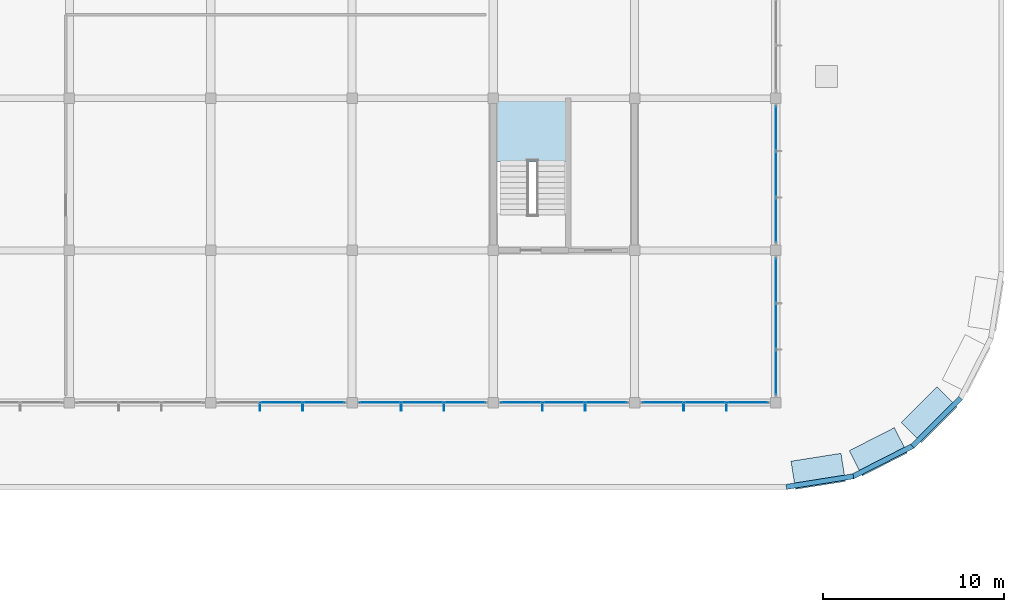
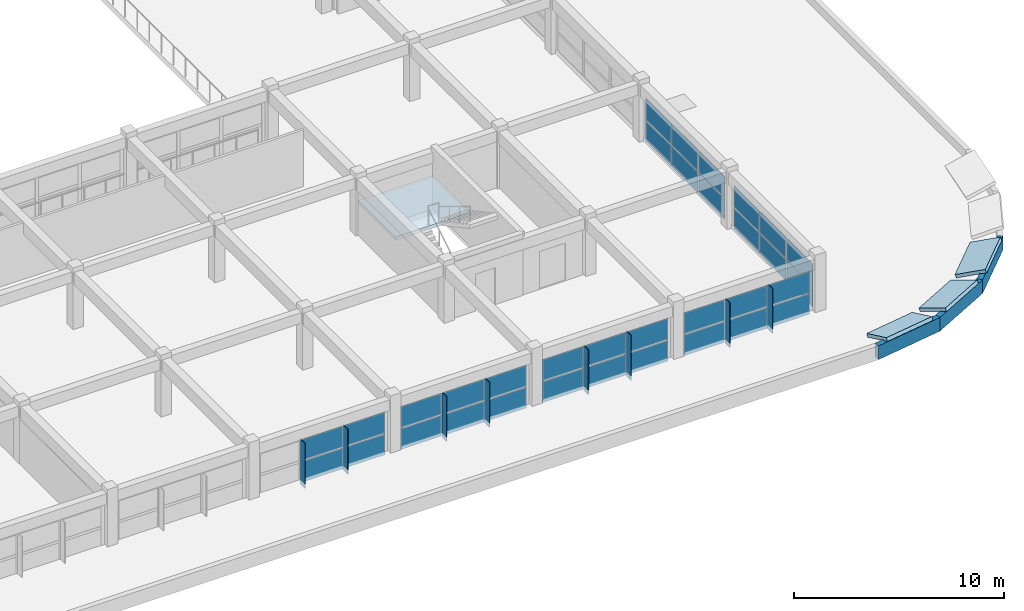
# One storey, part 81 of 101: 45 plates, 4 slabs, 7 elements without a shape of their own.
"""IFC4 building model written with IfcOpenShell, lengths in metres."""

from ifc_helpers import new_model, si_unit, direction, frame, origin, origin_2d, place, context, subcontext, project, spatial, polyline, rectangle, outline, extrude, material, layer, layer_set, type_object, element, aggregate, save


model = new_model("IFC4")

# Units and contexts
model_context = context("Model", 3, precision=1e-05, world=origin(), true_north=direction((0.0, 1.0)))
body_context = subcontext(model_context, "Body", "Model", "MODEL_VIEW")
ifc_project = project(units=[si_unit("LENGTHUNIT", "METRE"), si_unit("AREAUNIT", "SQUARE_METRE"), si_unit("VOLUMEUNIT", "CUBIC_METRE"), si_unit("PLANEANGLEUNIT", "RADIAN"), si_unit("MASSUNIT", "GRAM", prefix="KILO")], contexts=[model_context])

# Site, building, storey
site_placement = place(None, origin())
site = spatial("IfcSite", under=ifc_project, at=site_placement, CompositionType="ELEMENT")
building_placement = place(site_placement, origin())
building = spatial("IfcBuilding", under=site, at=building_placement, Name="Zizhar Promenade General Hospital", CompositionType="ELEMENT")
storey_placement = place(building_placement, frame((0.0, 0.0, 14.39990234375)))
storey = spatial("IfcBuildingStorey", under=building, at=storey_placement, Name="L03", CompositionType="ELEMENT", Elevation=14.39990234375)

# Curtain wall, plates
ifc_material_1 = material(Name="Anodised aluminium 6063-T6 and low-E glass", Category="aluminium")
ifc_layer_1 = layer(ifc_material_1, 0.159912109375)
ifc_layer_set_1 = layer_set([ifc_layer_1], Name="Anodised aluminium 6063-T6 and low-E glass")
curtain_wall_type = type_object("IfcCurtainWallType", Name="CW-CLN-L03", PredefinedType="NOTDEFINED", material=ifc_layer_set_1)
curtain_wall_1_placement = place(storey_placement, origin())
curtain_wall_1 = element("IfcCurtainWall", 1, at=curtain_wall_1_placement, inside=storey, type_object=curtain_wall_type, Name="L03 Clinic Pavilion South Glazing 20", PredefinedType="NOTDEFINED")
ifc_material_2 = material(Name="Low-E solar-control glass", Category="glass")
ifc_layer_2 = layer(ifc_material_2, 0.031982421875)
ifc_layer_set_2 = layer_set([ifc_layer_2], Name="Low-E solar-control glass")
plate_type_1 = type_object("IfcPlateType", Name="CWP-GLZ-32", PredefinedType="CURTAIN_PANEL", material=ifc_layer_set_2)
plate_1_placement = place(storey_placement, frame((162.239990234375, 42.0, 0.06005859375), z_axis=(0.0, 0.0, 1.0), x_axis=(-1.0, 0.0, 0.0)))
plate_1 = element("IfcPlate", 2, at=plate_1_placement, type_object=plate_type_1, Name="CW-11 panel 1.1", PredefinedType="CURTAIN_PANEL", context=body_context, shape_type="SweptSolid", body=[
    extrude(rectangle(XDim=2.239990234375, YDim=0.031982421875, at=origin_2d()), origin(), (0.0, 0.0, 1.0), 1.219970703125),
])
plate_2_placement = place(storey_placement, frame((162.239990234375, 42.0, 1.34033203125), z_axis=(0.0, 0.0, 1.0), x_axis=(-1.0, 0.0, 0.0)))
plate_2 = element("IfcPlate", 3, at=plate_2_placement, type_object=plate_type_1, Name="CW-11 panel 1.2", PredefinedType="CURTAIN_PANEL", context=body_context, shape_type="SweptSolid", body=[
    extrude(rectangle(XDim=2.239990234375, YDim=0.031982421875, at=origin_2d()), origin(), (0.0, 0.0, 1.0), 1.219970703125),
])
plate_3_placement = place(storey_placement, frame((159.89990234375, 42.0, 0.06005859375), z_axis=(0.0, 0.0, 1.0), x_axis=(-1.0, 0.0, 0.0)))
plate_3 = element("IfcPlate", 4, at=plate_3_placement, type_object=plate_type_1, Name="CW-11 panel 2.1", PredefinedType="CURTAIN_PANEL", context=body_context, shape_type="SweptSolid", body=[
    extrude(rectangle(XDim=2.280029296875, YDim=0.031982421875, at=origin_2d()), origin(), (0.0, 0.0, 1.0), 1.219970703125),
])
plate_4_placement = place(storey_placement, frame((159.89990234375, 42.0, 1.34033203125), z_axis=(0.0, 0.0, 1.0), x_axis=(-1.0, 0.0, 0.0)))
plate_4 = element("IfcPlate", 5, at=plate_4_placement, type_object=plate_type_1, Name="CW-11 panel 2.2", PredefinedType="CURTAIN_PANEL", context=body_context, shape_type="SweptSolid", body=[
    extrude(rectangle(XDim=2.280029296875, YDim=0.031982421875, at=origin_2d()), origin(), (0.0, 0.0, 1.0), 1.219970703125),
])
aggregate(curtain_wall_1, [plate_1, plate_2, plate_3, plate_4])

curtain_wall_2_placement = place(storey_placement, origin())
curtain_wall_2 = element("IfcCurtainWall", 6, at=curtain_wall_2_placement, inside=storey, type_object=curtain_wall_type, Name="L03 Clinic Pavilion South Glazing 21", PredefinedType="NOTDEFINED")
plate_5_placement = place(storey_placement, frame((170.0400390625, 42.0, 0.06005859375), z_axis=(0.0, 0.0, 1.0), x_axis=(-1.0, 0.0, 0.0)))
plate_5 = element("IfcPlate", 7, at=plate_5_placement, type_object=plate_type_1, Name="CW-11 panel 1.1", PredefinedType="CURTAIN_PANEL", context=body_context, shape_type="SweptSolid", body=[
    extrude(rectangle(XDim=2.239990234375, YDim=0.031982421875, at=origin_2d()), origin(), (0.0, 0.0, 1.0), 1.219970703125),
])
plate_6_placement = place(storey_placement, frame((170.0400390625, 42.0, 1.34033203125), z_axis=(0.0, 0.0, 1.0), x_axis=(-1.0, 0.0, 0.0)))
plate_6 = element("IfcPlate", 8, at=plate_6_placement, type_object=plate_type_1, Name="CW-11 panel 1.2", PredefinedType="CURTAIN_PANEL", context=body_context, shape_type="SweptSolid", body=[
    extrude(rectangle(XDim=2.239990234375, YDim=0.031982421875, at=origin_2d()), origin(), (0.0, 0.0, 1.0), 1.219970703125),
])
plate_7_placement = place(storey_placement, frame((167.699951171875, 42.0, 0.06005859375), z_axis=(0.0, 0.0, 1.0), x_axis=(-1.0, 0.0, 0.0)))
plate_7 = element("IfcPlate", 9, at=plate_7_placement, type_object=plate_type_1, Name="CW-11 panel 2.1", PredefinedType="CURTAIN_PANEL", context=body_context, shape_type="SweptSolid", body=[
    extrude(rectangle(XDim=2.280029296875, YDim=0.031982421875, at=origin_2d()), origin(), (0.0, 0.0, 1.0), 1.219970703125),
])
plate_8_placement = place(storey_placement, frame((167.699951171875, 42.0, 1.34033203125), z_axis=(0.0, 0.0, 1.0), x_axis=(-1.0, 0.0, 0.0)))
plate_8 = element("IfcPlate", 10, at=plate_8_placement, type_object=plate_type_1, Name="CW-11 panel 2.2", PredefinedType="CURTAIN_PANEL", context=body_context, shape_type="SweptSolid", body=[
    extrude(rectangle(XDim=2.280029296875, YDim=0.031982421875, at=origin_2d()), origin(), (0.0, 0.0, 1.0), 1.219970703125),
])
plate_9_placement = place(storey_placement, frame((165.360107421875, 42.0, 0.06005859375), z_axis=(0.0, 0.0, 1.0), x_axis=(-1.0, 0.0, 0.0)))
plate_9 = element("IfcPlate", 11, at=plate_9_placement, type_object=plate_type_1, Name="CW-11 panel 3.1", PredefinedType="CURTAIN_PANEL", context=body_context, shape_type="SweptSolid", body=[
    extrude(rectangle(XDim=2.239990234375, YDim=0.031982421875, at=origin_2d()), origin(), (0.0, 0.0, 1.0), 1.219970703125),
])
plate_10_placement = place(storey_placement, frame((165.360107421875, 42.0, 1.34033203125), z_axis=(0.0, 0.0, 1.0), x_axis=(-1.0, 0.0, 0.0)))
plate_10 = element("IfcPlate", 12, at=plate_10_placement, type_object=plate_type_1, Name="CW-11 panel 3.2", PredefinedType="CURTAIN_PANEL", context=body_context, shape_type="SweptSolid", body=[
    extrude(rectangle(XDim=2.239990234375, YDim=0.031982421875, at=origin_2d()), origin(), (0.0, 0.0, 1.0), 1.219970703125),
])
aggregate(curtain_wall_2, [plate_5, plate_6, plate_7, plate_8, plate_9, plate_10])

curtain_wall_3_placement = place(storey_placement, origin())
curtain_wall_3 = element("IfcCurtainWall", 13, at=curtain_wall_3_placement, inside=storey, type_object=curtain_wall_type, Name="L03 Clinic Pavilion South Glazing 22", PredefinedType="NOTDEFINED")
plate_11_placement = place(storey_placement, frame((177.840087890625, 42.0, 0.06005859375), z_axis=(0.0, 0.0, 1.0), x_axis=(-1.0, 0.0, 0.0)))
plate_11 = element("IfcPlate", 14, at=plate_11_placement, type_object=plate_type_1, Name="CW-11 panel 1.1", PredefinedType="CURTAIN_PANEL", context=body_context, shape_type="SweptSolid", body=[
    extrude(rectangle(XDim=2.239990234375, YDim=0.031982421875, at=origin_2d()), origin(), (0.0, 0.0, 1.0), 1.219970703125),
])
plate_12_placement = place(storey_placement, frame((177.840087890625, 42.0, 1.34033203125), z_axis=(0.0, 0.0, 1.0), x_axis=(-1.0, 0.0, 0.0)))
plate_12 = element("IfcPlate", 15, at=plate_12_placement, type_object=plate_type_1, Name="CW-11 panel 1.2", PredefinedType="CURTAIN_PANEL", context=body_context, shape_type="SweptSolid", body=[
    extrude(rectangle(XDim=2.239990234375, YDim=0.031982421875, at=origin_2d()), origin(), (0.0, 0.0, 1.0), 1.219970703125),
])
plate_13_placement = place(storey_placement, frame((175.5, 42.0, 0.06005859375), z_axis=(0.0, 0.0, 1.0), x_axis=(-1.0, 0.0, 0.0)))
plate_13 = element("IfcPlate", 16, at=plate_13_placement, type_object=plate_type_1, Name="CW-11 panel 2.1", PredefinedType="CURTAIN_PANEL", context=body_context, shape_type="SweptSolid", body=[
    extrude(rectangle(XDim=2.280029296875, YDim=0.031982421875, at=origin_2d()), origin(), (0.0, 0.0, 1.0), 1.219970703125),
])
plate_14_placement = place(storey_placement, frame((175.5, 42.0, 1.34033203125), z_axis=(0.0, 0.0, 1.0), x_axis=(-1.0, 0.0, 0.0)))
plate_14 = element("IfcPlate", 17, at=plate_14_placement, type_object=plate_type_1, Name="CW-11 panel 2.2", PredefinedType="CURTAIN_PANEL", context=body_context, shape_type="SweptSolid", body=[
    extrude(rectangle(XDim=2.280029296875, YDim=0.031982421875, at=origin_2d()), origin(), (0.0, 0.0, 1.0), 1.219970703125),
])
plate_15_placement = place(storey_placement, frame((173.159912109375, 42.0, 0.06005859375), z_axis=(0.0, 0.0, 1.0), x_axis=(-1.0, 0.0, 0.0)))
plate_15 = element("IfcPlate", 18, at=plate_15_placement, type_object=plate_type_1, Name="CW-11 panel 3.1", PredefinedType="CURTAIN_PANEL", context=body_context, shape_type="SweptSolid", body=[
    extrude(rectangle(XDim=2.239990234375, YDim=0.031982421875, at=origin_2d()), origin(), (0.0, 0.0, 1.0), 1.219970703125),
])
plate_16_placement = place(storey_placement, frame((173.159912109375, 42.0, 1.34033203125), z_axis=(0.0, 0.0, 1.0), x_axis=(-1.0, 0.0, 0.0)))
plate_16 = element("IfcPlate", 19, at=plate_16_placement, type_object=plate_type_1, Name="CW-11 panel 3.2", PredefinedType="CURTAIN_PANEL", context=body_context, shape_type="SweptSolid", body=[
    extrude(rectangle(XDim=2.239990234375, YDim=0.031982421875, at=origin_2d()), origin(), (0.0, 0.0, 1.0), 1.219970703125),
])
aggregate(curtain_wall_3, [plate_11, plate_12, plate_13, plate_14, plate_15, plate_16])

curtain_wall_4_placement = place(storey_placement, origin())
curtain_wall_4 = element("IfcCurtainWall", 20, at=curtain_wall_4_placement, inside=storey, type_object=curtain_wall_type, Name="L03 Clinic Pavilion South Glazing 23", PredefinedType="NOTDEFINED")
plate_17_placement = place(storey_placement, frame((185.639892578125, 42.0, 0.06005859375), z_axis=(0.0, 0.0, 1.0), x_axis=(-1.0, 0.0, 0.0)))
plate_17 = element("IfcPlate", 21, at=plate_17_placement, type_object=plate_type_1, Name="CW-11 panel 1.1", PredefinedType="CURTAIN_PANEL", context=body_context, shape_type="SweptSolid", body=[
    extrude(rectangle(XDim=2.239990234375, YDim=0.031982421875, at=origin_2d()), origin(), (0.0, 0.0, 1.0), 1.219970703125),
])
plate_18_placement = place(storey_placement, frame((185.639892578125, 42.0, 1.34033203125), z_axis=(0.0, 0.0, 1.0), x_axis=(-1.0, 0.0, 0.0)))
plate_18 = element("IfcPlate", 22, at=plate_18_placement, type_object=plate_type_1, Name="CW-11 panel 1.2", PredefinedType="CURTAIN_PANEL", context=body_context, shape_type="SweptSolid", body=[
    extrude(rectangle(XDim=2.239990234375, YDim=0.031982421875, at=origin_2d()), origin(), (0.0, 0.0, 1.0), 1.219970703125),
])
plate_19_placement = place(storey_placement, frame((183.300048828125, 42.0, 0.06005859375), z_axis=(0.0, 0.0, 1.0), x_axis=(-1.0, 0.0, 0.0)))
plate_19 = element("IfcPlate", 23, at=plate_19_placement, type_object=plate_type_1, Name="CW-11 panel 2.1", PredefinedType="CURTAIN_PANEL", context=body_context, shape_type="SweptSolid", body=[
    extrude(rectangle(XDim=2.280029296875, YDim=0.031982421875, at=origin_2d()), origin(), (0.0, 0.0, 1.0), 1.219970703125),
])
plate_20_placement = place(storey_placement, frame((183.300048828125, 42.0, 1.34033203125), z_axis=(0.0, 0.0, 1.0), x_axis=(-1.0, 0.0, 0.0)))
plate_20 = element("IfcPlate", 24, at=plate_20_placement, type_object=plate_type_1, Name="CW-11 panel 2.2", PredefinedType="CURTAIN_PANEL", context=body_context, shape_type="SweptSolid", body=[
    extrude(rectangle(XDim=2.280029296875, YDim=0.031982421875, at=origin_2d()), origin(), (0.0, 0.0, 1.0), 1.219970703125),
])
plate_21_placement = place(storey_placement, frame((180.9599609375, 42.0, 0.06005859375), z_axis=(0.0, 0.0, 1.0), x_axis=(-1.0, 0.0, 0.0)))
plate_21 = element("IfcPlate", 25, at=plate_21_placement, type_object=plate_type_1, Name="CW-11 panel 3.1", PredefinedType="CURTAIN_PANEL", context=body_context, shape_type="SweptSolid", body=[
    extrude(rectangle(XDim=2.239990234375, YDim=0.031982421875, at=origin_2d()), origin(), (0.0, 0.0, 1.0), 1.219970703125),
])
plate_22_placement = place(storey_placement, frame((180.9599609375, 42.0, 1.34033203125), z_axis=(0.0, 0.0, 1.0), x_axis=(-1.0, 0.0, 0.0)))
plate_22 = element("IfcPlate", 26, at=plate_22_placement, type_object=plate_type_1, Name="CW-11 panel 3.2", PredefinedType="CURTAIN_PANEL", context=body_context, shape_type="SweptSolid", body=[
    extrude(rectangle(XDim=2.239990234375, YDim=0.031982421875, at=origin_2d()), origin(), (0.0, 0.0, 1.0), 1.219970703125),
])
aggregate(curtain_wall_4, [plate_17, plate_18, plate_19, plate_20, plate_21, plate_22])

curtain_wall_5_placement = place(storey_placement, origin())
curtain_wall_5 = element("IfcCurtainWall", 27, at=curtain_wall_5_placement, inside=storey, type_object=curtain_wall_type, Name="L03 Clinic Pavilion East Glazing 5", PredefinedType="NOTDEFINED")
plate_23_placement = place(storey_placement, frame((187.199951171875, 48.739990234375, 0.06005859375), z_axis=(0.0, 0.0, 1.0), x_axis=(0.0, -1.0, 0.0)))
plate_23 = element("IfcPlate", 28, at=plate_23_placement, type_object=plate_type_1, Name="CW-11 panel 1.1", PredefinedType="CURTAIN_PANEL", context=body_context, shape_type="SweptSolid", body=[
    extrude(rectangle(XDim=2.43994140625, YDim=0.031982421875, at=origin_2d()), origin(), (0.0, 0.0, 1.0), 1.219970703125),
])
plate_24_placement = place(storey_placement, frame((187.199951171875, 48.739990234375, 1.34033203125), z_axis=(0.0, 0.0, 1.0), x_axis=(0.0, -1.0, 0.0)))
plate_24 = element("IfcPlate", 29, at=plate_24_placement, type_object=plate_type_1, Name="CW-11 panel 1.2", PredefinedType="CURTAIN_PANEL", context=body_context, shape_type="SweptSolid", body=[
    extrude(rectangle(XDim=2.43994140625, YDim=0.031982421875, at=origin_2d()), origin(), (0.0, 0.0, 1.0), 1.219970703125),
])
plate_25_placement = place(storey_placement, frame((187.199951171875, 46.199951171875, 0.06005859375), z_axis=(0.0, 0.0, 1.0), x_axis=(0.0, -1.0, 0.0)))
plate_25 = element("IfcPlate", 30, at=plate_25_placement, type_object=plate_type_1, Name="CW-11 panel 2.1", PredefinedType="CURTAIN_PANEL", context=body_context, shape_type="SweptSolid", body=[
    extrude(rectangle(XDim=2.47998046875, YDim=0.031982421875, at=origin_2d()), origin(), (0.0, 0.0, 1.0), 1.219970703125),
])
plate_26_placement = place(storey_placement, frame((187.199951171875, 46.199951171875, 1.34033203125), z_axis=(0.0, 0.0, 1.0), x_axis=(0.0, -1.0, 0.0)))
plate_26 = element("IfcPlate", 31, at=plate_26_placement, type_object=plate_type_1, Name="CW-11 panel 2.2", PredefinedType="CURTAIN_PANEL", context=body_context, shape_type="SweptSolid", body=[
    extrude(rectangle(XDim=2.47998046875, YDim=0.031982421875, at=origin_2d()), origin(), (0.0, 0.0, 1.0), 1.219970703125),
])
plate_27_placement = place(storey_placement, frame((187.199951171875, 43.659912109375, 0.06005859375), z_axis=(0.0, 0.0, 1.0), x_axis=(0.0, -1.0, 0.0)))
plate_27 = element("IfcPlate", 32, at=plate_27_placement, type_object=plate_type_1, Name="CW-11 panel 3.1", PredefinedType="CURTAIN_PANEL", context=body_context, shape_type="SweptSolid", body=[
    extrude(rectangle(XDim=2.43994140625, YDim=0.031982421875, at=origin_2d()), origin(), (0.0, 0.0, 1.0), 1.219970703125),
])
plate_28_placement = place(storey_placement, frame((187.199951171875, 43.659912109375, 1.34033203125), z_axis=(0.0, 0.0, 1.0), x_axis=(0.0, -1.0, 0.0)))
plate_28 = element("IfcPlate", 33, at=plate_28_placement, type_object=plate_type_1, Name="CW-11 panel 3.2", PredefinedType="CURTAIN_PANEL", context=body_context, shape_type="SweptSolid", body=[
    extrude(rectangle(XDim=2.43994140625, YDim=0.031982421875, at=origin_2d()), origin(), (0.0, 0.0, 1.0), 1.219970703125),
])
aggregate(curtain_wall_5, [plate_23, plate_24, plate_25, plate_26, plate_27, plate_28])

curtain_wall_6_placement = place(storey_placement, origin())
curtain_wall_6 = element("IfcCurtainWall", 34, at=curtain_wall_6_placement, inside=storey, type_object=curtain_wall_type, Name="L03 Clinic Pavilion East Glazing 6", PredefinedType="NOTDEFINED")
plate_29_placement = place(storey_placement, frame((187.199951171875, 57.139892578125, 0.06005859375), z_axis=(0.0, 0.0, 1.0), x_axis=(0.0, -1.0, 0.0)))
plate_29 = element("IfcPlate", 35, at=plate_29_placement, type_object=plate_type_1, Name="CW-11 panel 1.1", PredefinedType="CURTAIN_PANEL", context=body_context, shape_type="SweptSolid", body=[
    extrude(rectangle(XDim=2.43994140625, YDim=0.031982421875, at=origin_2d()), origin(), (0.0, 0.0, 1.0), 1.219970703125),
])
plate_30_placement = place(storey_placement, frame((187.199951171875, 57.139892578125, 1.34033203125), z_axis=(0.0, 0.0, 1.0), x_axis=(0.0, -1.0, 0.0)))
plate_30 = element("IfcPlate", 36, at=plate_30_placement, type_object=plate_type_1, Name="CW-11 panel 1.2", PredefinedType="CURTAIN_PANEL", context=body_context, shape_type="SweptSolid", body=[
    extrude(rectangle(XDim=2.43994140625, YDim=0.031982421875, at=origin_2d()), origin(), (0.0, 0.0, 1.0), 1.219970703125),
])
plate_31_placement = place(storey_placement, frame((187.199951171875, 54.60009765625, 0.06005859375), z_axis=(0.0, 0.0, 1.0), x_axis=(0.0, -1.0, 0.0)))
plate_31 = element("IfcPlate", 37, at=plate_31_placement, type_object=plate_type_1, Name="CW-11 panel 2.1", PredefinedType="CURTAIN_PANEL", context=body_context, shape_type="SweptSolid", body=[
    extrude(rectangle(XDim=2.47998046875, YDim=0.031982421875, at=origin_2d()), origin(), (0.0, 0.0, 1.0), 1.219970703125),
])
plate_32_placement = place(storey_placement, frame((187.199951171875, 54.60009765625, 1.34033203125), z_axis=(0.0, 0.0, 1.0), x_axis=(0.0, -1.0, 0.0)))
plate_32 = element("IfcPlate", 38, at=plate_32_placement, type_object=plate_type_1, Name="CW-11 panel 2.2", PredefinedType="CURTAIN_PANEL", context=body_context, shape_type="SweptSolid", body=[
    extrude(rectangle(XDim=2.47998046875, YDim=0.031982421875, at=origin_2d()), origin(), (0.0, 0.0, 1.0), 1.219970703125),
])
plate_33_placement = place(storey_placement, frame((187.199951171875, 52.06005859375, 0.06005859375), z_axis=(0.0, 0.0, 1.0), x_axis=(0.0, -1.0, 0.0)))
plate_33 = element("IfcPlate", 39, at=plate_33_placement, type_object=plate_type_1, Name="CW-11 panel 3.1", PredefinedType="CURTAIN_PANEL", context=body_context, shape_type="SweptSolid", body=[
    extrude(rectangle(XDim=2.43994140625, YDim=0.031982421875, at=origin_2d()), origin(), (0.0, 0.0, 1.0), 1.219970703125),
])
plate_34_placement = place(storey_placement, frame((187.199951171875, 52.06005859375, 1.34033203125), z_axis=(0.0, 0.0, 1.0), x_axis=(0.0, -1.0, 0.0)))
plate_34 = element("IfcPlate", 40, at=plate_34_placement, type_object=plate_type_1, Name="CW-11 panel 3.2", PredefinedType="CURTAIN_PANEL", context=body_context, shape_type="SweptSolid", body=[
    extrude(rectangle(XDim=2.43994140625, YDim=0.031982421875, at=origin_2d()), origin(), (0.0, 0.0, 1.0), 1.219970703125),
])
aggregate(curtain_wall_6, [plate_29, plate_30, plate_31, plate_32, plate_33, plate_34])

# Plates
ifc_material_3 = material(Name="Anodised aluminium 6063-T6", Category="aluminium")
ifc_layer_3 = layer(ifc_material_3, 0.0400390625)
ifc_layer_set_3 = layer_set([ifc_layer_3], Name="Anodised aluminium 6063-T6")
plate_type_2 = type_object("IfcPlateType", Name="FIN-ALU-450", PredefinedType="USERDEFINED", material=ifc_layer_set_3)
plate_35_placement = place(storey_placement, origin())
element("IfcPlate", 41, at=plate_35_placement, inside=storey, type_object=plate_type_2, Name="L03 Clinic Pavilion South Glazing 20 Solar Fin 1", ObjectType="SOLAR_SHADE", PredefinedType="USERDEFINED", context=body_context, shape_type="SweptSolid", body=[
    extrude(outline(polyline([(161.10009765625, 42.0), (161.06005859375, 42.0), (161.06005859375, 41.550048828125), (161.10009765625, 41.550048828125), (161.10009765625, 42.0)])), origin(), (0.0, 0.0, 1.0), 2.6201171875),
])
plate_36_placement = place(storey_placement, origin())
element("IfcPlate", 42, at=plate_36_placement, inside=storey, type_object=plate_type_2, Name="L03 Clinic Pavilion South Glazing 20 Solar Fin 2", ObjectType="SOLAR_SHADE", PredefinedType="USERDEFINED", context=body_context, shape_type="SweptSolid", body=[
    extrude(outline(polyline([(158.739990234375, 42.0), (158.699951171875, 42.0), (158.699951171875, 41.550048828125), (158.739990234375, 41.550048828125), (158.739990234375, 42.0)])), origin(), (0.0, 0.0, 1.0), 2.6201171875),
])
plate_37_placement = place(storey_placement, origin())
element("IfcPlate", 43, at=plate_37_placement, inside=storey, type_object=plate_type_2, Name="L03 Clinic Pavilion South Glazing 21 Solar Fin 1", ObjectType="SOLAR_SHADE", PredefinedType="USERDEFINED", context=body_context, shape_type="SweptSolid", body=[
    extrude(outline(polyline([(168.89990234375, 42.0), (168.860107421875, 42.0), (168.860107421875, 41.550048828125), (168.89990234375, 41.550048828125), (168.89990234375, 42.0)])), origin(), (0.0, 0.0, 1.0), 2.6201171875),
])
plate_38_placement = place(storey_placement, origin())
element("IfcPlate", 44, at=plate_38_placement, inside=storey, type_object=plate_type_2, Name="L03 Clinic Pavilion South Glazing 21 Solar Fin 2", ObjectType="SOLAR_SHADE", PredefinedType="USERDEFINED", context=body_context, shape_type="SweptSolid", body=[
    extrude(outline(polyline([(166.5400390625, 42.0), (166.5, 42.0), (166.5, 41.550048828125), (166.5400390625, 41.550048828125), (166.5400390625, 42.0)])), origin(), (0.0, 0.0, 1.0), 2.6201171875),
])
plate_39_placement = place(storey_placement, origin())
element("IfcPlate", 45, at=plate_39_placement, inside=storey, type_object=plate_type_2, Name="L03 Clinic Pavilion South Glazing 22 Solar Fin 1", ObjectType="SOLAR_SHADE", PredefinedType="USERDEFINED", context=body_context, shape_type="SweptSolid", body=[
    extrude(outline(polyline([(176.699951171875, 42.0), (176.659912109375, 42.0), (176.659912109375, 41.550048828125), (176.699951171875, 41.550048828125), (176.699951171875, 42.0)])), origin(), (0.0, 0.0, 1.0), 2.6201171875),
])
plate_40_placement = place(storey_placement, origin())
element("IfcPlate", 46, at=plate_40_placement, inside=storey, type_object=plate_type_2, Name="L03 Clinic Pavilion South Glazing 22 Solar Fin 2", ObjectType="SOLAR_SHADE", PredefinedType="USERDEFINED", context=body_context, shape_type="SweptSolid", body=[
    extrude(outline(polyline([(174.340087890625, 42.0), (174.300048828125, 42.0), (174.300048828125, 41.550048828125), (174.340087890625, 41.550048828125), (174.340087890625, 42.0)])), origin(), (0.0, 0.0, 1.0), 2.6201171875),
])
plate_41_placement = place(storey_placement, origin())
element("IfcPlate", 47, at=plate_41_placement, inside=storey, type_object=plate_type_2, Name="L03 Clinic Pavilion South Glazing 23 Solar Fin 1", ObjectType="SOLAR_SHADE", PredefinedType="USERDEFINED", context=body_context, shape_type="SweptSolid", body=[
    extrude(outline(polyline([(184.5, 42.0), (184.4599609375, 42.0), (184.4599609375, 41.550048828125), (184.5, 41.550048828125), (184.5, 42.0)])), origin(), (0.0, 0.0, 1.0), 2.6201171875),
])
plate_42_placement = place(storey_placement, origin())
element("IfcPlate", 48, at=plate_42_placement, inside=storey, type_object=plate_type_2, Name="L03 Clinic Pavilion South Glazing 23 Solar Fin 2", ObjectType="SOLAR_SHADE", PredefinedType="USERDEFINED", context=body_context, shape_type="SweptSolid", body=[
    extrude(outline(polyline([(182.139892578125, 42.0), (182.10009765625, 42.0), (182.10009765625, 41.550048828125), (182.139892578125, 41.550048828125), (182.139892578125, 42.0)])), origin(), (0.0, 0.0, 1.0), 2.6201171875),
])
ifc_material_4 = material(Name="Precast concrete C40/50", Category="concrete")
ifc_layer_4 = layer(ifc_material_4, 0.260009765625)
ifc_layer_set_4 = layer_set([ifc_layer_4], Name="Precast concrete C40/50")
plate_type_3 = type_object("IfcPlateType", Name="PL-PC-BAND950", PredefinedType="USERDEFINED", material=ifc_layer_set_4)
plate_43_placement = place(storey_placement, frame((0.0, 0.0, -0.0498046875)))
element("IfcPlate", 49, at=plate_43_placement, inside=storey, type_object=plate_type_3, Name="Three-Arm Base Roof Upturned Edge Fascia 09", ObjectType="FASCIA_BAND", PredefinedType="USERDEFINED", context=body_context, shape_type="SweptSolid", body=[
    extrude(outline(polyline([(187.800048828125, 37.199951171875), (191.50830078125, 37.787353515625), (191.46435546875, 38.06396484375), (187.756103515625, 37.4765625), (187.800048828125, 37.199951171875)])), origin(), (0.0, 0.0, 1.0), 0.7998046875),
])
plate_44_placement = place(storey_placement, frame((0.0, 0.0, -0.0498046875)))
element("IfcPlate", 50, at=plate_44_placement, inside=storey, type_object=plate_type_3, Name="Three-Arm Base Roof Upturned Edge Fascia 10", ObjectType="FASCIA_BAND", PredefinedType="USERDEFINED", context=body_context, shape_type="SweptSolid", body=[
    extrude(outline(polyline([(191.50830078125, 37.787353515625), (194.853515625, 39.49169921875), (194.726318359375, 39.7412109375), (191.381103515625, 38.036865234375), (191.50830078125, 37.787353515625)])), origin(), (0.0, 0.0, 1.0), 0.7998046875),
])
plate_45_placement = place(storey_placement, frame((0.0, 0.0, -0.0498046875)))
element("IfcPlate", 51, at=plate_45_placement, inside=storey, type_object=plate_type_3, Name="Three-Arm Base Roof Upturned Edge Fascia 11", ObjectType="FASCIA_BAND", PredefinedType="USERDEFINED", context=body_context, shape_type="SweptSolid", body=[
    extrude(outline(polyline([(194.853515625, 39.49169921875), (197.50830078125, 42.146484375), (197.310302734375, 42.344482421875), (194.655517578125, 39.689697265625), (194.853515625, 39.49169921875)])), origin(), (0.0, 0.0, 1.0), 0.7998046875),
])

# Stair, slab
ifc_material_5 = material(Name="Concrete C35/45", Category="concrete")
stair_type = type_object("IfcStairType", Name="STR-DOG-360", PredefinedType="HALF_TURN_STAIR", material=ifc_material_5)
stair_placement = place(storey_placement, origin())
stair = element("IfcStair", 52, at=stair_placement, inside=storey, type_object=stair_type, Name="Exit Stair ST-09 (L03 to L04)", PredefinedType="HALF_TURN_STAIR")
ifc_material_6 = material(Name="Concrete C35/45", Category="concrete")
ifc_layer_5 = layer(ifc_material_6, 0.199951171875)
ifc_layer_set_5 = layer_set([ifc_layer_5], Name="Concrete C35/45")
slab_type_1 = type_object("IfcSlabType", Name="SLB-LAND-360", PredefinedType="LANDING", material=ifc_layer_set_5)
slab_1_placement = place(storey_placement, frame((0.0, 0.0, 1.60009765625)))
slab_1 = element("IfcSlab", 53, at=slab_1_placement, type_object=slab_type_1, Name="ST-09B landing 1", PredefinedType="LANDING", context=body_context, shape_type="SweptSolid", body=[
    extrude(outline(polyline([(171.60009765625, 55.27001953125), (175.75, 55.27001953125), (175.75, 58.800048828125), (171.60009765625, 58.800048828125), (171.60009765625, 55.27001953125)])), origin(), (0.0, 0.0, 1.0), 0.199951171875),
])
aggregate(stair, [slab_1])

# Slabs
ifc_material_7 = material(Name="Concrete C35/45", Category="concrete")
ifc_layer_6 = layer(ifc_material_7, 0.199951171875)
ifc_layer_set_6 = layer_set([ifc_layer_6], Name="Concrete C35/45")
slab_type_2 = type_object("IfcSlabType", Name="SLB-SAW-200", PredefinedType="ROOF", material=ifc_layer_set_6)
slab_2_placement = place(storey_placement, frame((188.27392578125, 37.27490234375, 1.02001953125), z_axis=(-0.055515416655, 0.350615522505, 0.934872608376), x_axis=(0.987695576379, 0.156388773261, 0.0)))
element("IfcSlab", 54, at=slab_2_placement, inside=storey, type_object=slab_type_2, Name="Three-Arm Base Curved Upturned Rim 09", PredefinedType="ROOF", context=body_context, shape_type="SweptSolid", body=[
    extrude(outline(polyline([(0.0, 0.0), (2.7943931628656333, 5.551115123125783e-17), (2.794215696555194, 1.6052137570854177), (-0.0001774663104395502, 1.6052137570854177), (0.0, 0.0)])), origin(), (0.0, 0.0, -1.0), 0.199951171875),
])
slab_3_placement = place(storey_placement, frame((191.93603515625, 38.0048828125, 1.02001953125), z_axis=(-0.161274570759, 0.316452478733, 0.934798556658), x_axis=(0.890959952721, 0.454081889756, -6.584973e-06)))
element("IfcSlab", 55, at=slab_3_placement, inside=storey, type_object=slab_type_2, Name="Three-Arm Base Curved Upturned Rim 10", PredefinedType="ROOF", context=body_context, shape_type="SweptSolid", body=[
    extrude(outline(polyline([(0.0, 0.0), (2.794731010925579, 0.0), (2.794808707171708, 1.6042808331698049), (-0.00013982327357851208, 1.604384465293579), (0.0, 0.0)])), origin(), (0.0, 0.0, -1.0), 0.199951171875),
])
slab_4_placement = place(storey_placement, frame((195.193115234375, 39.8310546875, 1.02001953125), z_axis=(-0.251031638476, 0.251031638476, 0.934861611667), x_axis=(0.707106781187, 0.707106781187, 0.0)))
element("IfcSlab", 56, at=slab_4_placement, inside=storey, type_object=slab_type_2, Name="Three-Arm Base Curved Upturned Rim 11", PredefinedType="ROOF", context=body_context, shape_type="SweptSolid", body=[
    extrude(outline(polyline([(0.0, 0.0), (2.794245693429067, 0.0), (2.794245693429067, 1.605082815891745), (0.0, 1.6050828158917447), (0.0, 0.0)])), origin(), (0.0, 0.0, -1.0), 0.199951171875),
])

save(model, "model.ifc")
